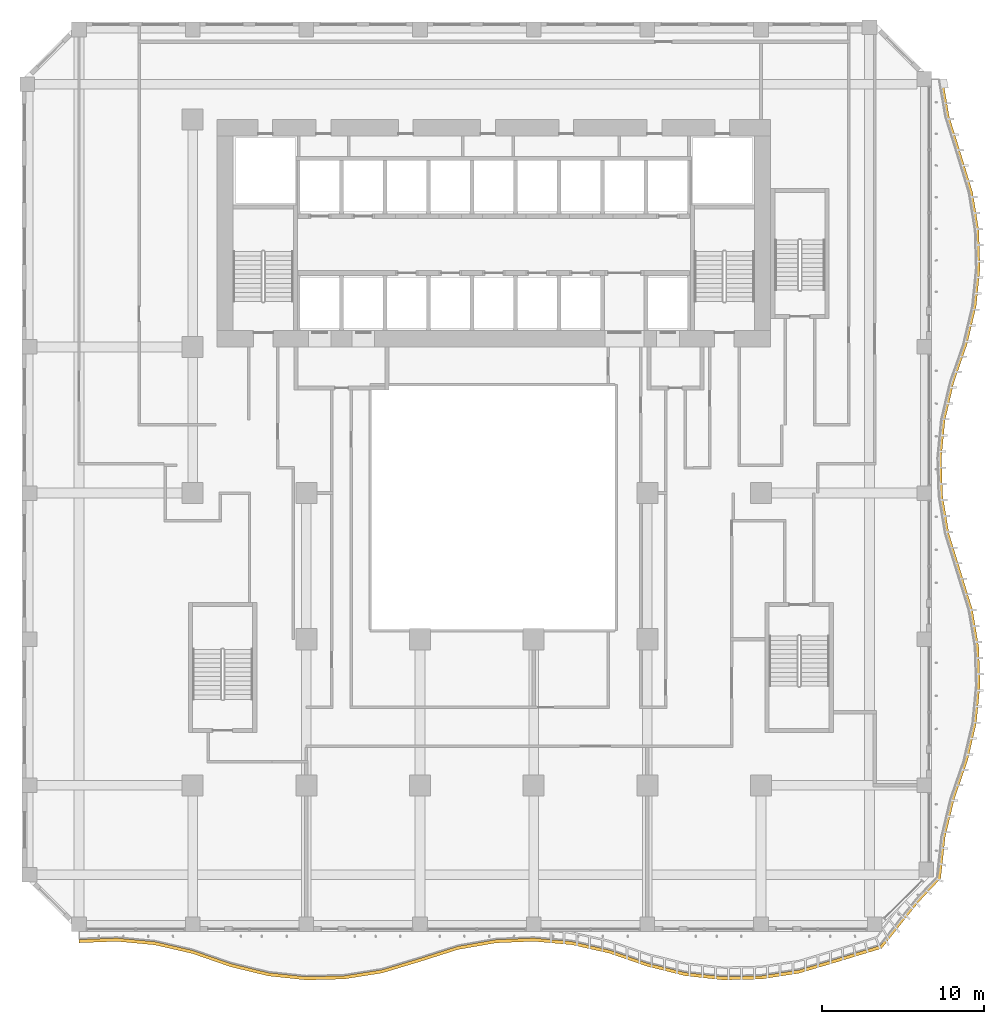
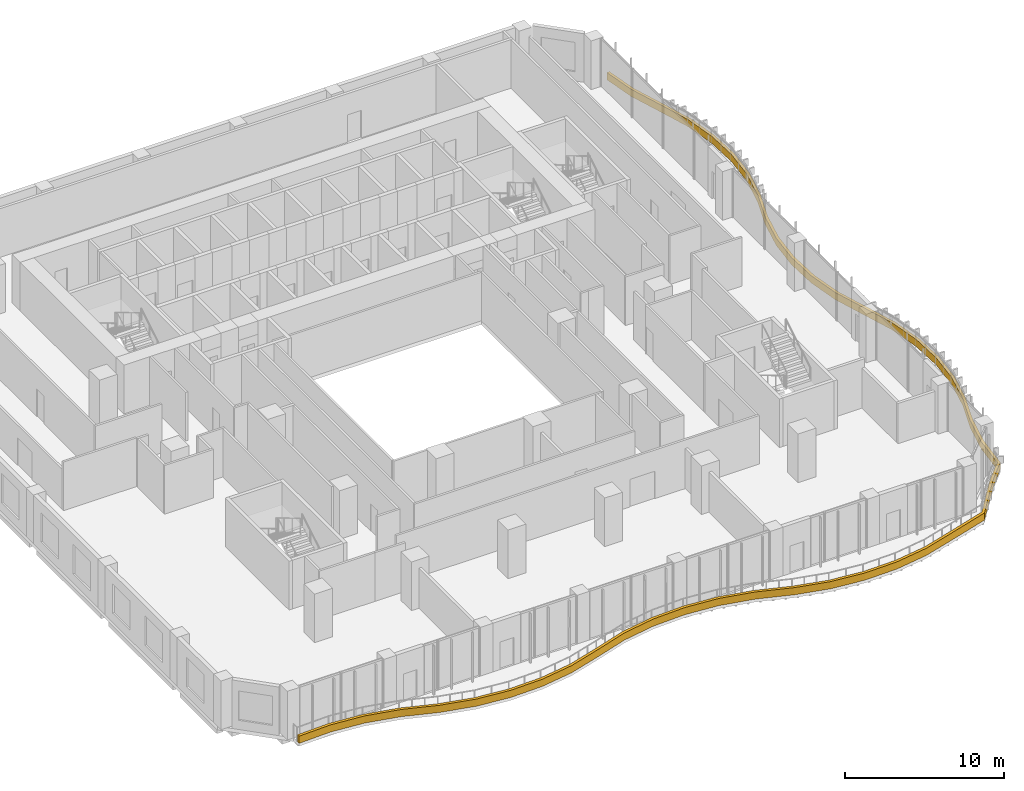
# One storey, part 19 of 25: 1 shading device.
"""IFC4 building model written with IfcOpenShell, lengths in metres."""

from ifc_helpers import new_model, si_unit, direction, frame, origin, place, context, subcontext, project, spatial, polyline, outline, extrude, source, transform, mapped, material, layer, layer_set, type_object, element, save


model = new_model("IFC4")

# Units and contexts
model_context = context("Model", 3, precision=1e-05, world=origin(), true_north=direction((0.0, 1.0)))
body_context = subcontext(model_context, "Body", "Model", "MODEL_VIEW")
ifc_project = project(units=[si_unit("LENGTHUNIT", "METRE"), si_unit("AREAUNIT", "SQUARE_METRE"), si_unit("VOLUMEUNIT", "CUBIC_METRE"), si_unit("PLANEANGLEUNIT", "RADIAN"), si_unit("MASSUNIT", "GRAM", prefix="KILO")], contexts=[model_context])

# Site, building, storey
site_placement = place(None, origin())
site = spatial("IfcSite", under=ifc_project, at=site_placement, CompositionType="ELEMENT")
building_placement = place(site_placement, origin())
building = spatial("IfcBuilding", under=site, at=building_placement, Name="Kilnfold Tower and Market Hall", CompositionType="ELEMENT")
storey_placement = place(building_placement, frame((0.0, 0.0, 39.0)))
storey = spatial("IfcBuildingStorey", under=building, at=storey_placement, Name="L08", CompositionType="ELEMENT", Elevation=39.0)

# Shading device
ifc_material = material(Name="Precast concrete C50/60", Category="concrete")
ifc_layer = layer(ifc_material, 0.550048828125)
ifc_layer_set = layer_set([ifc_layer], Name="Precast concrete C50/60")
shading_device_type = type_object("IfcShadingDeviceType", Name="BALCONY UPSTAND 550", PredefinedType="USERDEFINED", material=ifc_layer_set)
shared_shape = source(origin(), body_context, "Body", "SweptSolid", [
    extrude(outline(polyline([(-24.5, -28.69482421875), (-22.166748046875, -28.60693359375), (-19.833251953125, -28.825439453125), (-17.5, -29.362548828125), (-15.166748046875, -30.171875), (-12.833251953125, -30.7392578125), (-10.5, -30.986083984375), (-8.166748046875, -30.92578125), (-5.833251953125, -30.555419921875), (-3.5, -29.85400390625), (-1.166748046875, -29.111572265625), (1.166748046875, -28.702392578125), (3.5, -28.60498046875), (5.833251953125, -28.814208984375), (8.166748046875, -29.34130859375), (10.5, -30.1494140625), (12.833251953125, -30.726806640625), (15.166748046875, -30.98291015625), (17.5, -30.93212890625), (19.833251953125, -30.5712890625), (22.166748046875, -29.880615234375), (24.931884765625, -29.04296875), (26.232421875, -27.39892578125), (27.27783203125, -26.111328125), (28.564697265625, -24.73388671875), (28.848876953125, -22.166748046875), (29.406005859375, -19.833251953125), (30.216064453125, -17.5), (30.762939453125, -15.166748046875), (30.990966796875, -12.833251953125), (30.912353515625, -10.5), (30.5224609375, -8.166748046875), (29.800048828125, -5.833251953125), (29.077392578125, -3.5), (28.687744140625, -1.166748046875), (28.60888671875, 1.166748046875), (28.8369140625, 3.5), (29.384033203125, 5.833251953125), (30.194091796875, 8.166748046875), (30.751220703125, 10.5), (30.98876953125, 12.833251953125), (30.919189453125, 15.166748046875), (30.5390625, 17.5), (29.8271484375, 19.833251953125), (29.09423828125, 22.166748046875), (28.69482421875, 24.5), (28.494873046875, 24.5), (28.894287109375, 22.166748046875), (29.627197265625, 19.833251953125), (30.339111328125, 17.5), (30.71923828125, 15.166748046875), (30.788818359375, 12.833251953125), (30.55126953125, 10.5), (29.994140625, 8.166748046875), (29.18408203125, 5.833251953125), (28.636962890625, 3.5), (28.408935546875, 1.166748046875), (28.48779296875, -1.166748046875), (28.87744140625, -3.5), (29.60009765625, -5.833251953125), (30.322509765625, -8.166748046875), (30.71240234375, -10.5), (30.791015625, -12.833251953125), (30.56298828125, -15.166748046875), (30.01611328125, -17.5), (29.205810546875, -19.833251953125), (28.648681640625, -22.166748046875), (28.3798828125, -24.657470703125), (27.136474609375, -25.969970703125), (26.0908203125, -27.257568359375), (24.85546875, -28.858154296875), (22.166748046875, -29.680419921875), (19.833251953125, -30.371337890625), (17.5, -30.732177734375), (15.166748046875, -30.782958984375), (12.833251953125, -30.52685546875), (10.5, -29.949462890625), (8.166748046875, -29.141357421875), (5.833251953125, -28.6142578125), (3.5, -28.405029296875), (1.166748046875, -28.50244140625), (-1.166748046875, -28.91162109375), (-3.5, -29.654052734375), (-5.833251953125, -30.355224609375), (-8.166748046875, -30.725830078125), (-10.5, -30.785888671875), (-12.833251953125, -30.539306640625), (-15.166748046875, -29.971923828125), (-17.5, -29.16259765625), (-19.833251953125, -28.62548828125), (-22.166748046875, -28.406982421875), (-24.5, -28.494873046875), (-24.5, -28.69482421875)])), origin(), (0.0, 0.0, 1.0), 0.550048828125),
])
shading_device_placement = place(storey_placement, origin())
element("IfcShadingDevice", 1, at=shading_device_placement, inside=storey, type_object=shading_device_type, Name="Balcony fascia L08", ObjectType="FASCIA", PredefinedType="USERDEFINED", context=body_context, shape_type="MappedRepresentation", body=[
    mapped(shared_shape, transform((0.0, 0.0, 0.0))),
])

save(model, "model.ifc")
